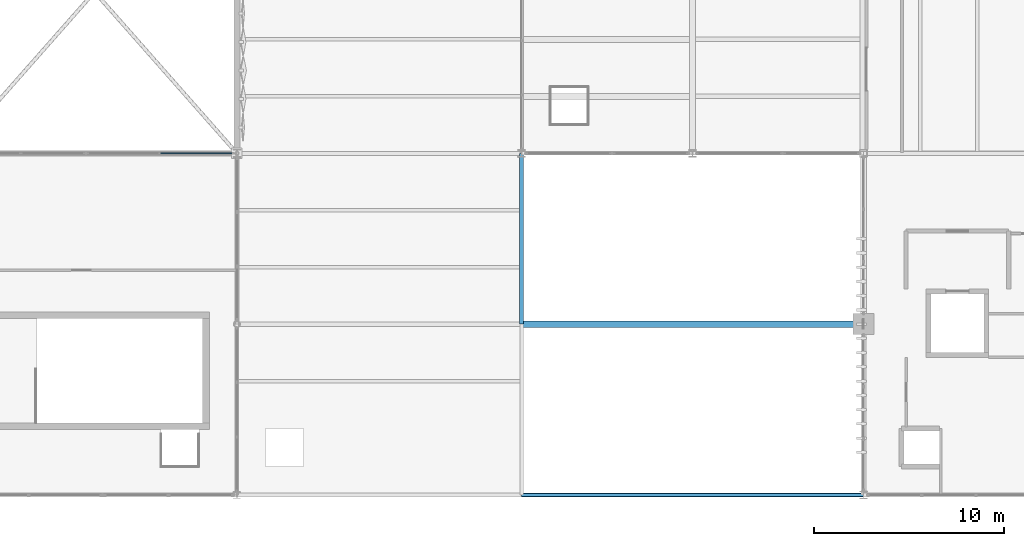
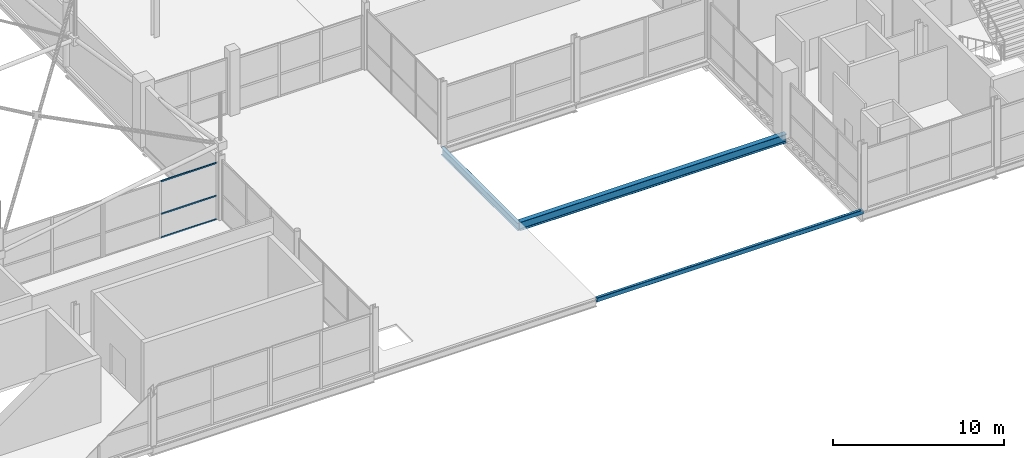
# One storey, part 122 of 224: 3 beams, 3 members, 1 element without a shape of its own.
"""IFC4 building model written with IfcOpenShell, lengths in metres."""

from ifc_helpers import new_model, si_unit, direction, frame, origin, origin_2d, place, context, subcontext, project, spatial, rectangle, hollow_rectangle, i_section, extrude, material, layer, layer_set, material_profile, profile_set, type_object, element, aggregate, save


model = new_model("IFC4")

# Units and contexts
model_context = context("Model", 3, precision=1e-05, world=origin(), true_north=direction((0.0, 1.0)))
body_context = subcontext(model_context, "Body", "Model", "MODEL_VIEW")
ifc_project = project(units=[si_unit("LENGTHUNIT", "METRE"), si_unit("AREAUNIT", "SQUARE_METRE"), si_unit("VOLUMEUNIT", "CUBIC_METRE"), si_unit("PLANEANGLEUNIT", "RADIAN"), si_unit("MASSUNIT", "GRAM", prefix="KILO")], contexts=[model_context])

# Site, building, storey
site_placement = place(None, origin())
site = spatial("IfcSite", under=ifc_project, at=site_placement, CompositionType="ELEMENT")
building_placement = place(site_placement, origin())
building = spatial("IfcBuilding", under=site, at=building_placement, Name="Qamarlyn Nura Convention Centre", CompositionType="ELEMENT")
storey_placement = place(building_placement, frame((0.0, 0.0, 10.800048828125)))
storey = spatial("IfcBuildingStorey", under=building, at=storey_placement, Name="L02", CompositionType="ELEMENT", Elevation=10.800048828125)

# Beams
ifc_material_1 = material(Name="Steel ASTM A992", Category="steel")
ifc_material_profile_1 = material_profile(ifc_material_1, i_section(OverallWidth=0.323974609375, OverallDepth=0.611083984375, WebThickness=0.0126953125, FlangeThickness=0.01904296875, FilletRadius=0.01611328125, at=origin_2d()), Name="W610X155")
ifc_profile_set_1 = profile_set([ifc_material_profile_1], Name="Steel ASTM A992")
beam_type_1 = type_object("IfcBeamType", Name="BM-GIRD-610", PredefinedType="BEAM", material=ifc_profile_set_1)
beam_1_placement = place(storey_placement, frame((135.0, 9.0, -0.3056640625), z_axis=(1.0, 0.0, 0.0), x_axis=(0.0, 1.0, 0.0)))
element("IfcBeam", 1, at=beam_1_placement, inside=storey, type_object=beam_type_1, Name="L02 girder B 11-13", PredefinedType="BEAM", context=body_context, shape_type="SweptSolid", body=[
    extrude(i_section(OverallWidth=0.323974609375, OverallDepth=0.611083984375, WebThickness=0.0126953125, FlangeThickness=0.01904296875, FilletRadius=0.01611328125, at=origin_2d()), origin(), (0.0, 0.0, 1.0), 18.0),
])
ifc_material_profile_2 = material_profile(ifc_material_1, i_section(OverallWidth=0.2109375, OverallDepth=0.5390625, WebThickness=0.01171875, FlangeThickness=0.018798828125, FilletRadius=0.013916015625, at=origin_2d()), Name="W530X109")
ifc_profile_set_2 = profile_set([ifc_material_profile_2], Name="Steel ASTM A992")
beam_type_2 = type_object("IfcBeamType", Name="BM-SPAN-530", PredefinedType="SPANDREL", material=ifc_profile_set_2)
beam_2_placement = place(storey_placement, frame((135.0, 9.0, -0.41455078125), z_axis=(0.0, 1.0, 0.0), x_axis=(-1.0, 0.0, 0.0)))
element("IfcBeam", 2, at=beam_2_placement, inside=storey, type_object=beam_type_2, Name="L02 girder 11 B-C", PredefinedType="SPANDREL", context=body_context, shape_type="SweptSolid", body=[
    extrude(i_section(OverallWidth=0.2109375, OverallDepth=0.5390625, WebThickness=0.01171875, FlangeThickness=0.018798828125, FilletRadius=0.013916015625, at=origin_2d()), origin(), (0.0, 0.0, 1.0), 9.0),
])
ifc_material_2 = material(Name="Steel ASTM A500 Grade C", Category="steel")
ifc_material_profile_3 = material_profile(ifc_material_2, hollow_rectangle(XDim=0.199951171875, YDim=0.300048828125, WallThickness=0.012451171875, InnerFilletRadius=0.012451171875, OuterFilletRadius=0.02490234375, at=origin_2d()), Name="HSS300X200X12.5")
ifc_profile_set_3 = profile_set([ifc_material_profile_3], Name="Steel ASTM A500 Grade C")
beam_type_3 = type_object("IfcBeamType", Name="BM-SPAN-HSS", PredefinedType="SPANDREL", material=ifc_profile_set_3)
beam_3_placement = place(storey_placement, frame((135.0, 0.0, -0.150146484375), z_axis=(1.0, 0.0, 0.0), x_axis=(0.0, 1.0, 0.0)))
element("IfcBeam", 3, at=beam_3_placement, inside=storey, type_object=beam_type_3, Name="L02 girder A 11-13", PredefinedType="SPANDREL", context=body_context, shape_type="SweptSolid", body=[
    extrude(hollow_rectangle(XDim=0.199951171875, YDim=0.300048828125, WallThickness=0.012451171875, InnerFilletRadius=0.012451171875, OuterFilletRadius=0.02490234375, at=origin_2d()), origin(), (0.0, 0.0, 1.0), 18.0),
])

# Curtain wall, members
ifc_material_3 = material(Name="Double-silver low-E insulated glass", Category="glass")
ifc_layer = layer(ifc_material_3, 0.179931640625, Name="CW-UNIT-24")
ifc_layer_set = layer_set([ifc_layer], Name="Double-silver low-E insulated glass")
curtain_wall_type = type_object("IfcCurtainWallType", Name="CW-UNIT-24", PredefinedType="NOTDEFINED", material=ifc_layer_set)
curtain_wall_placement = place(storey_placement, origin())
curtain_wall = element("IfcCurtainWall", 4, at=curtain_wall_placement, inside=storey, type_object=curtain_wall_type, Name="L02 unitised curtain wall V1-INT-S4-1B", PredefinedType="NOTDEFINED")
ifc_material_4 = material(Name="Champagne-anodised marine aluminium", Category="aluminium")
ifc_material_profile_4 = material_profile(ifc_material_4, rectangle(XDim=0.06005859375, YDim=0.10009765625, at=origin_2d()), Name="ALU TRANSOM 60x100")
ifc_profile_set_4 = profile_set([ifc_material_profile_4], Name="Champagne-anodised marine aluminium")
member_type = type_object("IfcMemberType", Name="CWT-100", PredefinedType="USERDEFINED", material=ifc_profile_set_4)
member_1_placement = place(storey_placement, frame((115.97900390625, 18.0, 0.030029296875), z_axis=(1.0, 0.0, 0.0), x_axis=(0.0, 1.0, 0.0)))
member_1 = element("IfcMember", 5, at=member_1_placement, type_object=member_type, Name="CW24 transom 2.1", ObjectType="TRANSOM", PredefinedType="USERDEFINED", context=body_context, shape_type="SweptSolid", body=[
    extrude(rectangle(XDim=0.06005859375, YDim=0.10009765625, at=origin_2d()), origin(), (0.0, 0.0, 1.0), 3.756591796875),
])
member_2_placement = place(storey_placement, frame((115.97900390625, 18.0, 1.7099609375), z_axis=(1.0, 0.0, 0.0), x_axis=(0.0, 1.0, 0.0)))
member_2 = element("IfcMember", 6, at=member_2_placement, type_object=member_type, Name="CW24 transom 2.2", ObjectType="TRANSOM", PredefinedType="USERDEFINED", context=body_context, shape_type="SweptSolid", body=[
    extrude(rectangle(XDim=0.06005859375, YDim=0.10009765625, at=origin_2d()), origin(), (0.0, 0.0, 1.0), 3.756591796875),
])
member_3_placement = place(storey_placement, frame((115.97900390625, 18.0, 4.041015625), z_axis=(1.0, 0.0, 0.0), x_axis=(0.0, 1.0, 0.0)))
member_3 = element("IfcMember", 7, at=member_3_placement, type_object=member_type, Name="CW24 transom 2.3", ObjectType="TRANSOM", PredefinedType="USERDEFINED", context=body_context, shape_type="SweptSolid", body=[
    extrude(rectangle(XDim=0.06005859375, YDim=0.10009765625, at=origin_2d()), origin(), (0.0, 0.0, 1.0), 3.756591796875),
])
aggregate(curtain_wall, [member_1, member_2, member_3])

save(model, "model.ifc")
